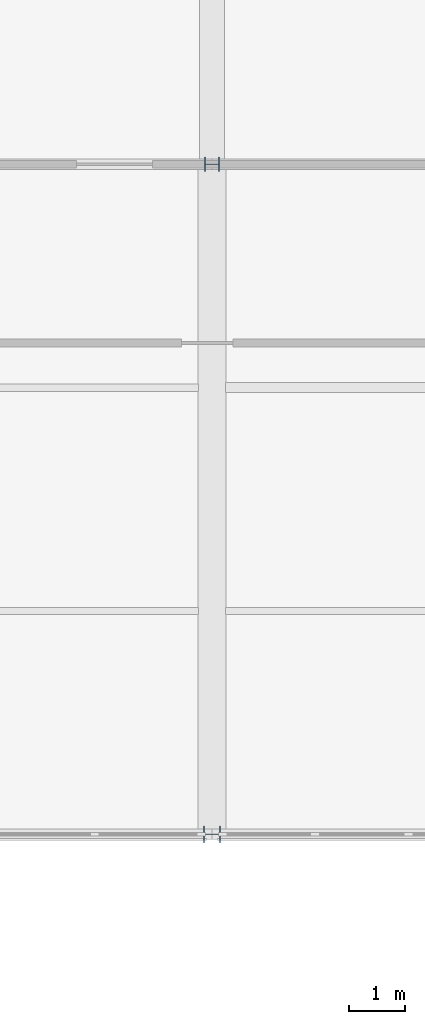
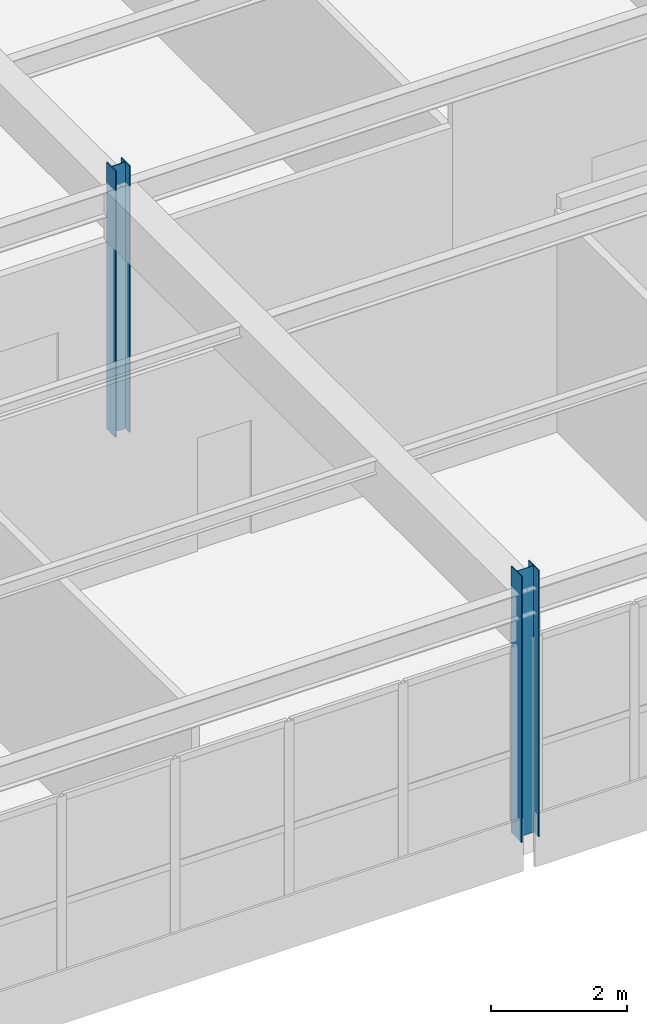
# One storey, part 47 of 186: 2 columns.
"""IFC4 building model written with IfcOpenShell, lengths in metres."""

from ifc_helpers import new_model, si_unit, direction, frame, origin, origin_2d, place, context, subcontext, project, spatial, i_section, extrude, material, material_profile, profile_set, type_object, element, save


model = new_model("IFC4")

# Units and contexts
model_context = context("Model", 3, precision=1e-05, world=origin(), true_north=direction((0.0, 1.0)))
body_context = subcontext(model_context, "Body", "Model", "MODEL_VIEW")
ifc_project = project(units=[si_unit("LENGTHUNIT", "METRE"), si_unit("AREAUNIT", "SQUARE_METRE"), si_unit("VOLUMEUNIT", "CUBIC_METRE"), si_unit("PLANEANGLEUNIT", "RADIAN"), si_unit("MASSUNIT", "GRAM", prefix="KILO")], contexts=[model_context])

# Site, building, storey
site_placement = place(None, origin())
site = spatial("IfcSite", under=ifc_project, at=site_placement, CompositionType="ELEMENT")
building_placement = place(site_placement, origin())
building = spatial("IfcBuilding", under=site, at=building_placement, Name="Tarnwether General Hospital", CompositionType="ELEMENT")
storey_placement = place(building_placement, frame((0.0, 0.0, 9.60009765625)))
storey = spatial("IfcBuildingStorey", under=building, at=storey_placement, Name="L02", CompositionType="ELEMENT", Elevation=9.60009765625)

# Columns
ifc_material_1 = material(Name="Steel Grade 350 (350 MPa)", Category="steel")
ifc_material_profile_1 = material_profile(ifc_material_1, i_section(OverallWidth=0.304931640625, OverallDepth=0.30810546875, WebThickness=0.010009765625, FlangeThickness=0.015380859375, at=origin_2d()), Name="310UC96.8")
ifc_profile_set_1 = profile_set([ifc_material_profile_1], Name="Steel Grade 350 (350 MPa)")
column_type_1 = type_object("IfcColumnType", Name="COL-08", PredefinedType="COLUMN", material=ifc_profile_set_1)
column_1_placement = place(storey_placement, frame((180.0, 81.60009765625, 0.0), z_axis=(0.0, 0.0, 1.0), x_axis=(0.0, 1.0, 0.0)))
element("IfcColumn", 1, at=column_1_placement, inside=storey, type_object=column_type_1, Name="Column COLG-L02-18000_8160", PredefinedType="COLUMN", context=body_context, shape_type="SweptSolid", body=[
    extrude(i_section(OverallWidth=0.304931640625, OverallDepth=0.30810546875, WebThickness=0.010009765625, FlangeThickness=0.015380859375, at=origin_2d()), origin(), (0.0, 0.0, 1.0), 4.7998046875),
])
ifc_material_2 = material(Name="Steel Grade 350 (350 MPa)", Category="steel")
ifc_material_profile_2 = material_profile(ifc_material_2, i_section(OverallWidth=0.256103515625, OverallDepth=0.260009765625, WebThickness=0.010498046875, FlangeThickness=0.017333984375, at=origin_2d()), Name="250UC89.5")
ifc_profile_set_2 = profile_set([ifc_material_profile_2], Name="Steel Grade 350 (350 MPa)")
column_type_2 = type_object("IfcColumnType", Name="COL-09", PredefinedType="COLUMN", material=ifc_profile_set_2)
column_2_placement = place(storey_placement, frame((180.0, 93.60009765625, 0.0), z_axis=(0.0, 0.0, 1.0), x_axis=(0.0, 1.0, 0.0)))
element("IfcColumn", 2, at=column_2_placement, inside=storey, type_object=column_type_2, Name="Column COLG-L02-18000_9360", PredefinedType="COLUMN", context=body_context, shape_type="SweptSolid", body=[
    extrude(i_section(OverallWidth=0.256103515625, OverallDepth=0.260009765625, WebThickness=0.010498046875, FlangeThickness=0.017333984375, at=origin_2d()), origin(), (0.0, 0.0, 1.0), 4.7998046875),
])

save(model, "model.ifc")
